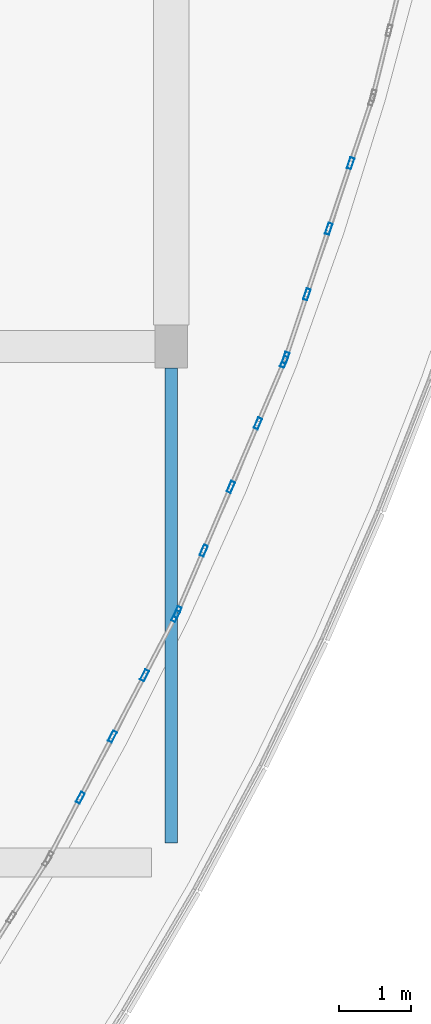
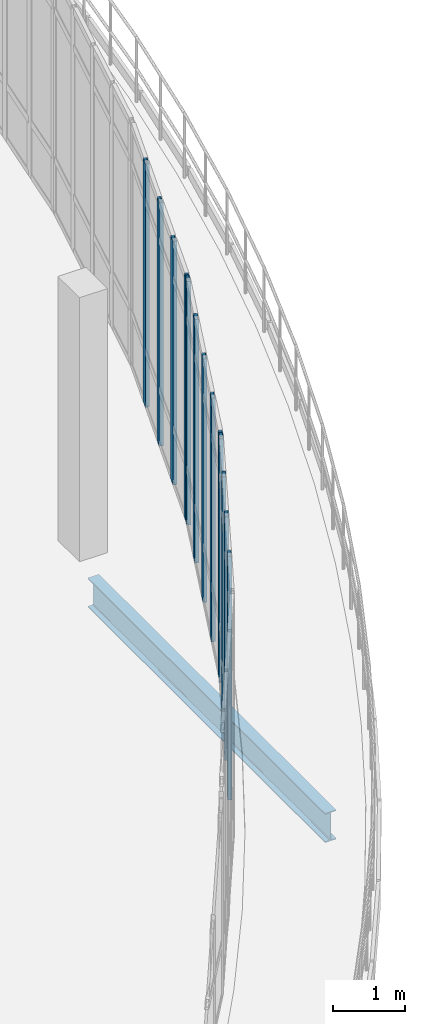
# One storey, part 67 of 124: 13 members, 1 beam, 3 elements without a shape of their own.
"""IFC4 building model written with IfcOpenShell, lengths in metres."""

from ifc_helpers import new_model, si_unit, direction, frame, origin, origin_2d, place, context, subcontext, project, spatial, hollow_rectangle, i_section, extrude, material, material_profile, profile_set, type_object, element, aggregate, save


model = new_model("IFC4")

# Units and contexts
model_context = context("Model", 3, precision=1e-05, world=origin(), true_north=direction((0.0, 1.0)))
body_context = subcontext(model_context, "Body", "Model", "MODEL_VIEW")
ifc_project = project(units=[si_unit("LENGTHUNIT", "METRE"), si_unit("AREAUNIT", "SQUARE_METRE"), si_unit("VOLUMEUNIT", "CUBIC_METRE"), si_unit("PLANEANGLEUNIT", "RADIAN"), si_unit("MASSUNIT", "GRAM", prefix="KILO")], contexts=[model_context])

# Site, building, storey
site_placement = place(None, origin())
site = spatial("IfcSite", under=ifc_project, at=site_placement, CompositionType="ELEMENT")
building_placement = place(site_placement, origin())
building = spatial("IfcBuilding", under=site, at=building_placement, Name="Kalluvel Institute of Natural Sciences", CompositionType="ELEMENT")
storey_placement = place(building_placement, frame((0.0, 0.0, 9.89990234375)))
storey = spatial("IfcBuildingStorey", under=building, at=storey_placement, Name="L02", CompositionType="ELEMENT", Elevation=9.89990234375)

# Beam
ifc_material_1 = material(Name="Steel E350 Grade 350", Category="steel")
ifc_material_profile_1 = material_profile(ifc_material_1, i_section(OverallWidth=0.179931640625, OverallDepth=0.5, WebThickness=0.01025390625, FlangeThickness=0.01708984375, FilletRadius=0.01708984375, at=origin_2d()), Name="ISMB 500")
ifc_profile_set_1 = profile_set([ifc_material_profile_1], Name="Steel E350 Grade 350")
beam_type = type_object("IfcBeamType", Name="BM-ISMB500", PredefinedType="BEAM", material=ifc_profile_set_1)
beam_placement = place(storey_placement, frame((78.800048828125, 79.074951171875, -0.56982421875), z_axis=(0.0, 1.0, 0.0), x_axis=(-1.0, 0.0, 0.0)))
element("IfcBeam", 1, at=beam_placement, inside=storey, type_object=beam_type, Name="L02 girder GIR-L02-NS-X788-Y788", PredefinedType="BEAM", context=body_context, shape_type="SweptSolid", body=[
    extrude(i_section(OverallWidth=0.179931640625, OverallDepth=0.5, WebThickness=0.01025390625, FlangeThickness=0.01708984375, FilletRadius=0.01708984375, at=origin_2d()), origin(), (0.0, 0.0, 1.0), 6.625),
])

# Curtain wall, members
ifc_material_2 = material(Name="Aluminium AW-6063 T6", Category="aluminium")
curtain_wall_type = type_object("IfcCurtainWallType", Name="CW-ATR-ARC", PredefinedType="USERDEFINED", material=ifc_material_2)
curtain_wall_1_placement = place(storey_placement, origin())
curtain_wall_1 = element("IfcCurtainWall", 2, at=curtain_wall_1_placement, inside=storey, type_object=curtain_wall_type, Name="L02 Gothic lancet curtain wall CWA-L02-X771-Y788", ObjectType="UNITISED LANCET FACADE", PredefinedType="USERDEFINED")
ifc_material_profile_2 = material_profile(ifc_material_2, hollow_rectangle(XDim=0.06005859375, YDim=0.159912109375, WallThickness=0.00390625, at=origin_2d()), Name="CWM 60x160")
ifc_profile_set_2 = profile_set([ifc_material_profile_2], Name="Aluminium AW-6063 T6")
member_type = type_object("IfcMemberType", Name="CWM-60x160", PredefinedType="MULLION", material=ifc_profile_set_2)
member_1_placement = place(storey_placement, frame((77.53076171875, 79.703857421875, 0.0), z_axis=(0.0, 0.0, 1.0), x_axis=(-0.885450176504, 0.464734316496, 0.0)))
member_1 = element("IfcMember", 3, at=member_1_placement, type_object=member_type, Name="CW-05 mullion 2", PredefinedType="MULLION", context=body_context, shape_type="SweptSolid", body=[
    extrude(hollow_rectangle(XDim=0.06005859375, YDim=0.159912109375, WallThickness=0.00390625, at=origin_2d()), origin(), (0.0, 0.0, 1.0), 4.150146484375),
])
member_2_placement = place(storey_placement, frame((77.97900390625, 80.557861328125, 0.0), z_axis=(0.0, 0.0, 1.0), x_axis=(-0.885450176504, 0.464734316496, 0.0)))
member_2 = element("IfcMember", 4, at=member_2_placement, type_object=member_type, Name="CW-05 mullion 3", PredefinedType="MULLION", context=body_context, shape_type="SweptSolid", body=[
    extrude(hollow_rectangle(XDim=0.06005859375, YDim=0.159912109375, WallThickness=0.00390625, at=origin_2d()), origin(), (0.0, 0.0, 1.0), 4.150146484375),
])
member_3_placement = place(storey_placement, frame((78.42724609375, 81.41162109375, 0.0), z_axis=(0.0, 0.0, 1.0), x_axis=(-0.885450176504, 0.464734316496, 0.0)))
member_3 = element("IfcMember", 5, at=member_3_placement, type_object=member_type, Name="CW-05 mullion 4", PredefinedType="MULLION", context=body_context, shape_type="SweptSolid", body=[
    extrude(hollow_rectangle(XDim=0.06005859375, YDim=0.159912109375, WallThickness=0.00390625, at=origin_2d()), origin(), (0.0, 0.0, 1.0), 4.150146484375),
])
member_4_placement = place(storey_placement, frame((78.861328125, 82.239013671875, 0.0), z_axis=(0.0, 0.0, 1.0), x_axis=(-0.885450176504, 0.464734316496, 0.0)))
member_4 = element("IfcMember", 6, at=member_4_placement, type_object=member_type, Name="CW-05 mullion 5", PredefinedType="MULLION", context=body_context, shape_type="SweptSolid", body=[
    extrude(hollow_rectangle(XDim=0.06005859375, YDim=0.159912109375, WallThickness=0.00390625, at=origin_2d()), origin(), (0.0, 0.0, 1.0), 4.150146484375),
])
aggregate(curtain_wall_1, [member_1, member_2, member_3, member_4])

curtain_wall_2_placement = place(storey_placement, origin())
curtain_wall_2 = element("IfcCurtainWall", 7, at=curtain_wall_2_placement, inside=storey, type_object=curtain_wall_type, Name="L02 Gothic lancet curtain wall CWA-L02-X789-Y823", ObjectType="UNITISED LANCET FACADE", PredefinedType="USERDEFINED")
member_5_placement = place(storey_placement, frame((78.886962890625, 82.293212890625, 0.0), z_axis=(0.0, 0.0, 1.0), x_axis=(-0.919979665809, 0.391966088453, 0.0)))
member_5 = element("IfcMember", 8, at=member_5_placement, type_object=member_type, Name="CW-05 mullion 1", PredefinedType="MULLION", context=body_context, shape_type="SweptSolid", body=[
    extrude(hollow_rectangle(XDim=0.06005859375, YDim=0.159912109375, WallThickness=0.00390625, at=origin_2d()), origin(), (0.0, 0.0, 1.0), 4.150146484375),
])
member_6_placement = place(storey_placement, frame((79.25341796875, 83.15283203125, 0.0), z_axis=(0.0, 0.0, 1.0), x_axis=(-0.919979665809, 0.391966088453, 0.0)))
member_6 = element("IfcMember", 9, at=member_6_placement, type_object=member_type, Name="CW-05 mullion 2", PredefinedType="MULLION", context=body_context, shape_type="SweptSolid", body=[
    extrude(hollow_rectangle(XDim=0.06005859375, YDim=0.159912109375, WallThickness=0.00390625, at=origin_2d()), origin(), (0.0, 0.0, 1.0), 4.150146484375),
])
member_7_placement = place(storey_placement, frame((79.63134765625, 84.0400390625, 0.0), z_axis=(0.0, 0.0, 1.0), x_axis=(-0.919979665809, 0.391966088453, 0.0)))
member_7 = element("IfcMember", 10, at=member_7_placement, type_object=member_type, Name="CW-05 mullion 3", PredefinedType="MULLION", context=body_context, shape_type="SweptSolid", body=[
    extrude(hollow_rectangle(XDim=0.06005859375, YDim=0.159912109375, WallThickness=0.00390625, at=origin_2d()), origin(), (0.0, 0.0, 1.0), 4.150146484375),
])
member_8_placement = place(storey_placement, frame((80.00927734375, 84.92724609375, 0.0), z_axis=(0.0, 0.0, 1.0), x_axis=(-0.919979665809, 0.391966088453, 0.0)))
member_8 = element("IfcMember", 11, at=member_8_placement, type_object=member_type, Name="CW-05 mullion 4", PredefinedType="MULLION", context=body_context, shape_type="SweptSolid", body=[
    extrude(hollow_rectangle(XDim=0.06005859375, YDim=0.159912109375, WallThickness=0.00390625, at=origin_2d()), origin(), (0.0, 0.0, 1.0), 4.150146484375),
])
member_9_placement = place(storey_placement, frame((80.37548828125, 85.786865234375, 0.0), z_axis=(0.0, 0.0, 1.0), x_axis=(-0.919979665809, 0.391966088453, 0.0)))
member_9 = element("IfcMember", 12, at=member_9_placement, type_object=member_type, Name="CW-05 mullion 5", PredefinedType="MULLION", context=body_context, shape_type="SweptSolid", body=[
    extrude(hollow_rectangle(XDim=0.06005859375, YDim=0.159912109375, WallThickness=0.00390625, at=origin_2d()), origin(), (0.0, 0.0, 1.0), 4.150146484375),
])
aggregate(curtain_wall_2, [member_5, member_6, member_7, member_8, member_9])

curtain_wall_3_placement = place(storey_placement, origin())
curtain_wall_3 = element("IfcCurtainWall", 13, at=curtain_wall_3_placement, inside=storey, type_object=curtain_wall_type, Name="L02 Gothic lancet curtain wall CWA-L02-X804-Y858", ObjectType="UNITISED LANCET FACADE", PredefinedType="USERDEFINED")
member_10_placement = place(storey_placement, frame((80.396728515625, 85.8427734375, 0.0), z_axis=(0.0, 0.0, 1.0), x_axis=(-0.948540622408, 0.316655471516, 0.0)))
member_10 = element("IfcMember", 14, at=member_10_placement, type_object=member_type, Name="CW-05 mullion 1", PredefinedType="MULLION", context=body_context, shape_type="SweptSolid", body=[
    extrude(hollow_rectangle(XDim=0.06005859375, YDim=0.159912109375, WallThickness=0.00390625, at=origin_2d()), origin(), (0.0, 0.0, 1.0), 4.150146484375),
])
member_11_placement = place(storey_placement, frame((80.692626953125, 86.729248046875, 0.0), z_axis=(0.0, 0.0, 1.0), x_axis=(-0.948540622408, 0.316655471516, 0.0)))
member_11 = element("IfcMember", 15, at=member_11_placement, type_object=member_type, Name="CW-05 mullion 2", PredefinedType="MULLION", context=body_context, shape_type="SweptSolid", body=[
    extrude(hollow_rectangle(XDim=0.06005859375, YDim=0.159912109375, WallThickness=0.00390625, at=origin_2d()), origin(), (0.0, 0.0, 1.0), 4.150146484375),
])
member_12_placement = place(storey_placement, frame((80.998046875, 87.643798828125, 0.0), z_axis=(0.0, 0.0, 1.0), x_axis=(-0.948540622408, 0.316655471516, 0.0)))
member_12 = element("IfcMember", 16, at=member_12_placement, type_object=member_type, Name="CW-05 mullion 3", PredefinedType="MULLION", context=body_context, shape_type="SweptSolid", body=[
    extrude(hollow_rectangle(XDim=0.06005859375, YDim=0.159912109375, WallThickness=0.00390625, at=origin_2d()), origin(), (0.0, 0.0, 1.0), 4.150146484375),
])
member_13_placement = place(storey_placement, frame((81.303466796875, 88.55859375, 0.0), z_axis=(0.0, 0.0, 1.0), x_axis=(-0.948540622408, 0.316655471516, 0.0)))
member_13 = element("IfcMember", 17, at=member_13_placement, type_object=member_type, Name="CW-05 mullion 4", PredefinedType="MULLION", context=body_context, shape_type="SweptSolid", body=[
    extrude(hollow_rectangle(XDim=0.06005859375, YDim=0.159912109375, WallThickness=0.00390625, at=origin_2d()), origin(), (0.0, 0.0, 1.0), 4.150146484375),
])
aggregate(curtain_wall_3, [member_10, member_11, member_12, member_13])

save(model, "model.ifc")
